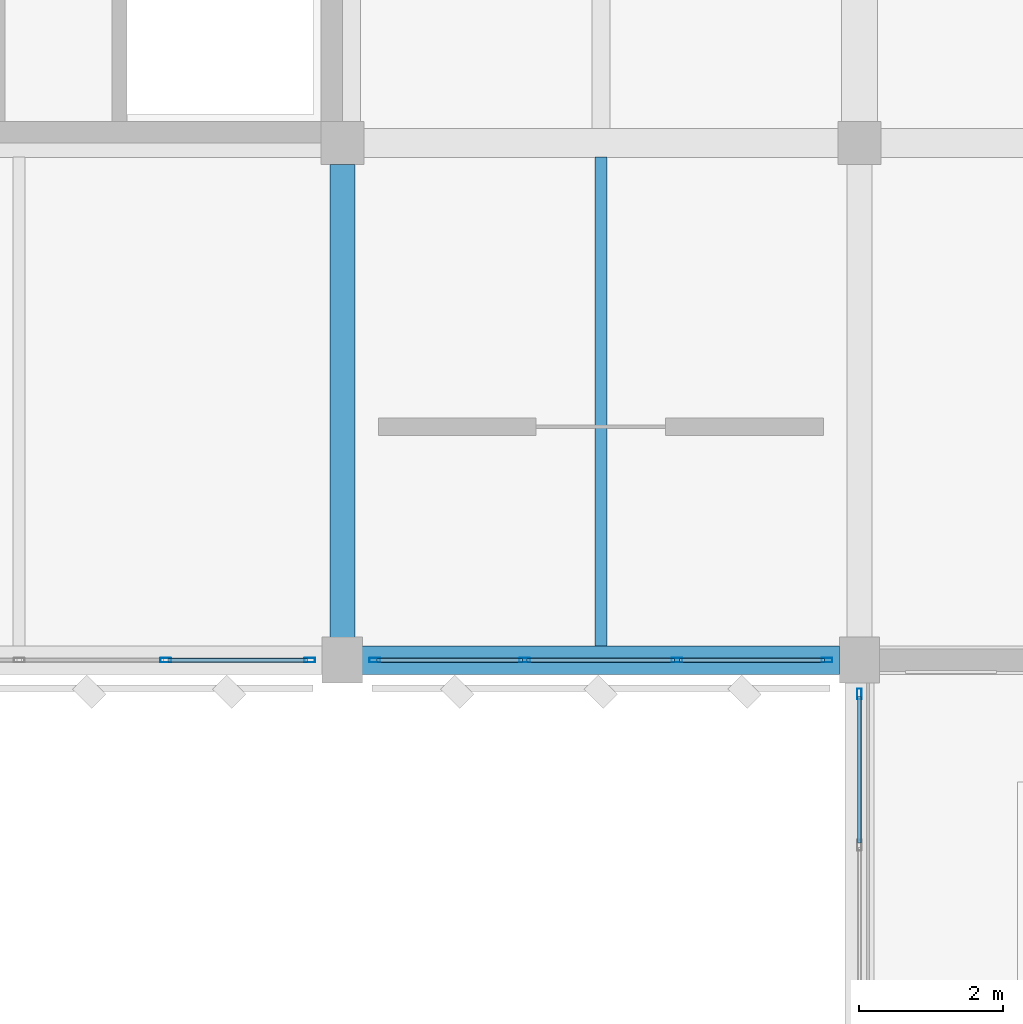
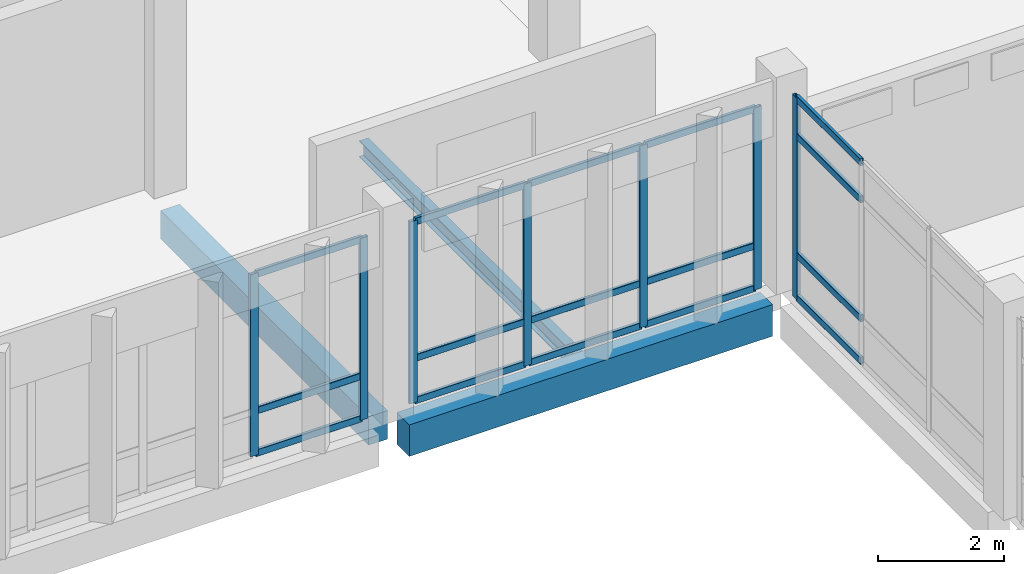
# One storey, part 67 of 158: 23 members, 3 beams, 3 elements without a shape of their own.
"""IFC4 building model written with IfcOpenShell, lengths in metres."""

from ifc_helpers import new_model, si_unit, direction, frame, origin, origin_2d, place, context, subcontext, project, spatial, rectangle, hollow_rectangle, i_section, extrude, material, material_profile, profile_set, type_object, element, aggregate, save


model = new_model("IFC4")

# Units and contexts
model_context = context("Model", 3, precision=1e-05, world=origin(), true_north=direction((0.0, 1.0)))
body_context = subcontext(model_context, "Body", "Model", "MODEL_VIEW")
ifc_project = project(units=[si_unit("LENGTHUNIT", "METRE"), si_unit("AREAUNIT", "SQUARE_METRE"), si_unit("VOLUMEUNIT", "CUBIC_METRE"), si_unit("PLANEANGLEUNIT", "RADIAN"), si_unit("MASSUNIT", "GRAM", prefix="KILO")], contexts=[model_context])

# Site, building, storey
site_placement = place(None, origin())
site = spatial("IfcSite", under=ifc_project, at=site_placement, CompositionType="ELEMENT")
building_placement = place(site_placement, origin())
building = spatial("IfcBuilding", under=site, at=building_placement, Name="Lusvemor Sports Hall", CompositionType="ELEMENT")
storey_placement = place(building_placement, frame((0.0, 0.0, 10.800048828125)))
storey = spatial("IfcBuildingStorey", under=building, at=storey_placement, Name="L02", CompositionType="ELEMENT", Elevation=10.800048828125)

# Beam
ifc_material_1 = material(Name="Concrete C40/50", Category="concrete")
ifc_material_profile_1 = material_profile(ifc_material_1, rectangle(XDim=0.35009765625, YDim=0.550048828125, at=origin_2d()), Name="RC350x550")
ifc_profile_set_1 = profile_set([ifc_material_profile_1], Name="Concrete C40/50")
beam_type_1 = type_object("IfcBeamType", Name="BEAM_RC_550", PredefinedType="BEAM", material=ifc_profile_set_1)
beam_1_placement = place(storey_placement, frame((111.60009765625, 97.51611328125, -0.53515625), z_axis=(0.0, 1.0, 0.0), x_axis=(-1.0, 0.0, 0.0)))
element("IfcBeam", 1, at=beam_1_placement, inside=storey, type_object=beam_type_1, Name="Beam L02 12:N-P", PredefinedType="BEAM", context=body_context, shape_type="SweptSolid", body=[
    extrude(rectangle(XDim=0.35009765625, YDim=0.550048828125, at=origin_2d()), origin(), (0.0, 0.0, 1.0), 6.587890625),
])

# Curtain wall, members
ifc_material_2 = material(Name="Thermally broken bronze-anodized aluminium", Category="aluminium")
curtain_wall_type = type_object("IfcCurtainWallType", Name="CW_WING_B", PredefinedType="NOTDEFINED", material=ifc_material_2)
curtain_wall_1_placement = place(storey_placement, origin())
curtain_wall_1 = element("IfcCurtainWall", 2, at=curtain_wall_1_placement, inside=storey, type_object=curtain_wall_type, Name="Curtain Wall CW-L02-S-3-8", PredefinedType="NOTDEFINED")
ifc_material_3 = material(Name="Thermally broken bronze-anodized aluminium", Category="aluminium")
ifc_material_profile_2 = material_profile(ifc_material_3, hollow_rectangle(XDim=0.06494140625, YDim=0.14990234375, WallThickness=0.00390625, InnerFilletRadius=0.00390625, OuterFilletRadius=0.008056640625, at=origin_2d()), Name="CWMUL150x65x4")
ifc_profile_set_2 = profile_set([ifc_material_profile_2], Name="Thermally broken bronze-anodized aluminium")
member_type_1 = type_object("IfcMemberType", Name="CW_MUL_B", PredefinedType="MULLION", material=ifc_profile_set_2)
member_1_placement = place(storey_placement, frame((111.1474609375, 97.199951171875, 0.0), z_axis=(0.0, 0.0, 1.0), x_axis=(0.0, -1.0, 0.0)))
member_1 = element("IfcMember", 3, at=member_1_placement, type_object=member_type_1, Name="CW02 mullion 1", PredefinedType="MULLION", context=body_context, shape_type="SweptSolid", body=[
    extrude(hollow_rectangle(XDim=0.06494140625, YDim=0.14990234375, WallThickness=0.00390625, InnerFilletRadius=0.00390625, OuterFilletRadius=0.008056640625, at=origin_2d()), origin(), (0.0, 0.0, 1.0), 3.52001953125),
])
member_2_placement = place(storey_placement, frame((109.139892578125, 97.199951171875, 0.0), z_axis=(0.0, 0.0, 1.0), x_axis=(0.0, -1.0, 0.0)))
member_2 = element("IfcMember", 4, at=member_2_placement, type_object=member_type_1, Name="CW02 mullion 2", PredefinedType="MULLION", context=body_context, shape_type="SweptSolid", body=[
    extrude(hollow_rectangle(XDim=0.06494140625, YDim=0.14990234375, WallThickness=0.00390625, InnerFilletRadius=0.00390625, OuterFilletRadius=0.008056640625, at=origin_2d()), origin(), (0.0, 0.0, 1.0), 3.52001953125),
])

curtain_wall_2_placement = place(storey_placement, origin())
curtain_wall_2 = element("IfcCurtainWall", 5, at=curtain_wall_2_placement, inside=storey, type_object=curtain_wall_type, Name="Curtain Wall CW-L02-S-3-9", PredefinedType="NOTDEFINED")
member_3_placement = place(storey_placement, frame((118.347412109375, 97.199951171875, 0.0), z_axis=(0.0, 0.0, 1.0), x_axis=(0.0, -1.0, 0.0)))
member_3 = element("IfcMember", 6, at=member_3_placement, type_object=member_type_1, Name="CW02 mullion 1", PredefinedType="MULLION", context=body_context, shape_type="SweptSolid", body=[
    extrude(hollow_rectangle(XDim=0.06494140625, YDim=0.14990234375, WallThickness=0.00390625, InnerFilletRadius=0.00390625, OuterFilletRadius=0.008056640625, at=origin_2d()), origin(), (0.0, 0.0, 1.0), 3.52001953125),
])
member_4_placement = place(storey_placement, frame((116.260009765625, 97.199951171875, 0.0), z_axis=(0.0, 0.0, 1.0), x_axis=(0.0, -1.0, 0.0)))
member_4 = element("IfcMember", 7, at=member_4_placement, type_object=member_type_1, Name="CW02 mullion 2", PredefinedType="MULLION", context=body_context, shape_type="SweptSolid", body=[
    extrude(hollow_rectangle(XDim=0.06494140625, YDim=0.14990234375, WallThickness=0.00390625, InnerFilletRadius=0.00390625, OuterFilletRadius=0.008056640625, at=origin_2d()), origin(), (0.0, 0.0, 1.0), 3.52001953125),
])
member_5_placement = place(storey_placement, frame((114.139892578125, 97.199951171875, 0.0), z_axis=(0.0, 0.0, 1.0), x_axis=(0.0, -1.0, 0.0)))
member_5 = element("IfcMember", 8, at=member_5_placement, type_object=member_type_1, Name="CW02 mullion 3", PredefinedType="MULLION", context=body_context, shape_type="SweptSolid", body=[
    extrude(hollow_rectangle(XDim=0.06494140625, YDim=0.14990234375, WallThickness=0.00390625, InnerFilletRadius=0.00390625, OuterFilletRadius=0.008056640625, at=origin_2d()), origin(), (0.0, 0.0, 1.0), 3.52001953125),
])
member_6_placement = place(storey_placement, frame((112.052490234375, 97.199951171875, 0.0), z_axis=(0.0, 0.0, 1.0), x_axis=(0.0, -1.0, 0.0)))
member_6 = element("IfcMember", 9, at=member_6_placement, type_object=member_type_1, Name="CW02 mullion 4", PredefinedType="MULLION", context=body_context, shape_type="SweptSolid", body=[
    extrude(hollow_rectangle(XDim=0.06494140625, YDim=0.14990234375, WallThickness=0.00390625, InnerFilletRadius=0.00390625, OuterFilletRadius=0.008056640625, at=origin_2d()), origin(), (0.0, 0.0, 1.0), 3.52001953125),
])

# Curtain wall, member
curtain_wall_3_placement = place(storey_placement, origin())
curtain_wall_3 = element("IfcCurtainWall", 10, at=curtain_wall_3_placement, inside=storey, type_object=curtain_wall_type, Name="Curtain Wall CW-V5NE-W-L02-B", PredefinedType="NOTDEFINED")
member_7_placement = place(storey_placement, frame((118.800048828125, 96.7275390625, -0.050048828125), z_axis=(0.0, 0.0, 1.0), x_axis=(-1.0, 0.0, 0.0)))
member_7 = element("IfcMember", 11, at=member_7_placement, type_object=member_type_1, Name="CW02 mullion 4", PredefinedType="MULLION", context=body_context, shape_type="SweptSolid", body=[
    extrude(hollow_rectangle(XDim=0.06494140625, YDim=0.14990234375, WallThickness=0.00390625, InnerFilletRadius=0.00390625, OuterFilletRadius=0.008056640625, at=origin_2d()), origin(), (0.0, 0.0, 1.0), 3.89990234375),
])

# Member
ifc_material_4 = material(Name="Thermally broken bronze-anodized aluminium", Category="aluminium")
ifc_material_profile_3 = material_profile(ifc_material_4, hollow_rectangle(XDim=0.06005859375, YDim=0.135009765625, WallThickness=0.00390625, InnerFilletRadius=0.00390625, OuterFilletRadius=0.008056640625, at=origin_2d()), Name="CWTRN135x60x4")
ifc_profile_set_3 = profile_set([ifc_material_profile_3], Name="Thermally broken bronze-anodized aluminium")
member_type_2 = type_object("IfcMemberType", Name="CW_TRN_B", PredefinedType="USERDEFINED", material=ifc_profile_set_3)
member_8_placement = place(storey_placement, frame((111.114990234375, 97.199951171875, 0.030029296875), z_axis=(-1.0, 0.0, 0.0), x_axis=(0.0, -1.0, 0.0)))
member_8 = element("IfcMember", 12, at=member_8_placement, type_object=member_type_2, Name="CW02 transom 1.1", ObjectType="TRANSOM", PredefinedType="USERDEFINED", context=body_context, shape_type="SweptSolid", body=[
    extrude(hollow_rectangle(XDim=0.06005859375, YDim=0.135009765625, WallThickness=0.00390625, InnerFilletRadius=0.00390625, OuterFilletRadius=0.008056640625, at=origin_2d()), origin(), (0.0, 0.0, 1.0), 1.9423828125),
])

member_9_placement = place(storey_placement, frame((111.114990234375, 97.199951171875, 0.849853515625), z_axis=(-1.0, 0.0, 0.0), x_axis=(0.0, -1.0, 0.0)))
member_9 = element("IfcMember", 13, at=member_9_placement, type_object=member_type_2, Name="CW02 transom 1.2", ObjectType="TRANSOM", PredefinedType="USERDEFINED", context=body_context, shape_type="SweptSolid", body=[
    extrude(hollow_rectangle(XDim=0.06005859375, YDim=0.135009765625, WallThickness=0.00390625, InnerFilletRadius=0.00390625, OuterFilletRadius=0.008056640625, at=origin_2d()), origin(), (0.0, 0.0, 1.0), 1.9423828125),
])

member_10_placement = place(storey_placement, frame((111.114990234375, 97.199951171875, 3.489990234375), z_axis=(-1.0, 0.0, 0.0), x_axis=(0.0, -1.0, 0.0)))
member_10 = element("IfcMember", 14, at=member_10_placement, type_object=member_type_2, Name="CW02 transom 1.3", ObjectType="TRANSOM", PredefinedType="USERDEFINED", context=body_context, shape_type="SweptSolid", body=[
    extrude(hollow_rectangle(XDim=0.06005859375, YDim=0.135009765625, WallThickness=0.00390625, InnerFilletRadius=0.00390625, OuterFilletRadius=0.008056640625, at=origin_2d()), origin(), (0.0, 0.0, 1.0), 1.9423828125),
])

aggregate(curtain_wall_1, [member_1, member_2, member_8, member_9, member_10])

member_11_placement = place(storey_placement, frame((118.31494140625, 97.199951171875, 0.030029296875), z_axis=(-1.0, 0.0, 0.0), x_axis=(0.0, -1.0, 0.0)))
member_11 = element("IfcMember", 15, at=member_11_placement, type_object=member_type_2, Name="CW02 transom 1.1", ObjectType="TRANSOM", PredefinedType="USERDEFINED", context=body_context, shape_type="SweptSolid", body=[
    extrude(hollow_rectangle(XDim=0.06005859375, YDim=0.135009765625, WallThickness=0.00390625, InnerFilletRadius=0.00390625, OuterFilletRadius=0.008056640625, at=origin_2d()), origin(), (0.0, 0.0, 1.0), 2.0224609375),
])

member_12_placement = place(storey_placement, frame((118.31494140625, 97.199951171875, 0.849853515625), z_axis=(-1.0, 0.0, 0.0), x_axis=(0.0, -1.0, 0.0)))
member_12 = element("IfcMember", 16, at=member_12_placement, type_object=member_type_2, Name="CW02 transom 1.2", ObjectType="TRANSOM", PredefinedType="USERDEFINED", context=body_context, shape_type="SweptSolid", body=[
    extrude(hollow_rectangle(XDim=0.06005859375, YDim=0.135009765625, WallThickness=0.00390625, InnerFilletRadius=0.00390625, OuterFilletRadius=0.008056640625, at=origin_2d()), origin(), (0.0, 0.0, 1.0), 2.0224609375),
])

member_13_placement = place(storey_placement, frame((118.31494140625, 97.199951171875, 3.489990234375), z_axis=(-1.0, 0.0, 0.0), x_axis=(0.0, -1.0, 0.0)))
member_13 = element("IfcMember", 17, at=member_13_placement, type_object=member_type_2, Name="CW02 transom 1.3", ObjectType="TRANSOM", PredefinedType="USERDEFINED", context=body_context, shape_type="SweptSolid", body=[
    extrude(hollow_rectangle(XDim=0.06005859375, YDim=0.135009765625, WallThickness=0.00390625, InnerFilletRadius=0.00390625, OuterFilletRadius=0.008056640625, at=origin_2d()), origin(), (0.0, 0.0, 1.0), 2.0224609375),
])

member_14_placement = place(storey_placement, frame((116.2275390625, 97.199951171875, 0.030029296875), z_axis=(-1.0, 0.0, 0.0), x_axis=(0.0, -1.0, 0.0)))
member_14 = element("IfcMember", 18, at=member_14_placement, type_object=member_type_2, Name="CW02 transom 2.1", ObjectType="TRANSOM", PredefinedType="USERDEFINED", context=body_context, shape_type="SweptSolid", body=[
    extrude(hollow_rectangle(XDim=0.06005859375, YDim=0.135009765625, WallThickness=0.00390625, InnerFilletRadius=0.00390625, OuterFilletRadius=0.008056640625, at=origin_2d()), origin(), (0.0, 0.0, 1.0), 2.054931640625),
])

member_15_placement = place(storey_placement, frame((116.2275390625, 97.199951171875, 0.849853515625), z_axis=(-1.0, 0.0, 0.0), x_axis=(0.0, -1.0, 0.0)))
member_15 = element("IfcMember", 19, at=member_15_placement, type_object=member_type_2, Name="CW02 transom 2.2", ObjectType="TRANSOM", PredefinedType="USERDEFINED", context=body_context, shape_type="SweptSolid", body=[
    extrude(hollow_rectangle(XDim=0.06005859375, YDim=0.135009765625, WallThickness=0.00390625, InnerFilletRadius=0.00390625, OuterFilletRadius=0.008056640625, at=origin_2d()), origin(), (0.0, 0.0, 1.0), 2.054931640625),
])

member_16_placement = place(storey_placement, frame((116.2275390625, 97.199951171875, 3.489990234375), z_axis=(-1.0, 0.0, 0.0), x_axis=(0.0, -1.0, 0.0)))
member_16 = element("IfcMember", 20, at=member_16_placement, type_object=member_type_2, Name="CW02 transom 2.3", ObjectType="TRANSOM", PredefinedType="USERDEFINED", context=body_context, shape_type="SweptSolid", body=[
    extrude(hollow_rectangle(XDim=0.06005859375, YDim=0.135009765625, WallThickness=0.00390625, InnerFilletRadius=0.00390625, OuterFilletRadius=0.008056640625, at=origin_2d()), origin(), (0.0, 0.0, 1.0), 2.054931640625),
])

member_17_placement = place(storey_placement, frame((114.107421875, 97.199951171875, 0.030029296875), z_axis=(-1.0, 0.0, 0.0), x_axis=(0.0, -1.0, 0.0)))
member_17 = element("IfcMember", 21, at=member_17_placement, type_object=member_type_2, Name="CW02 transom 3.1", ObjectType="TRANSOM", PredefinedType="USERDEFINED", context=body_context, shape_type="SweptSolid", body=[
    extrude(hollow_rectangle(XDim=0.06005859375, YDim=0.135009765625, WallThickness=0.00390625, InnerFilletRadius=0.00390625, OuterFilletRadius=0.008056640625, at=origin_2d()), origin(), (0.0, 0.0, 1.0), 2.0224609375),
])

member_18_placement = place(storey_placement, frame((114.107421875, 97.199951171875, 0.849853515625), z_axis=(-1.0, 0.0, 0.0), x_axis=(0.0, -1.0, 0.0)))
member_18 = element("IfcMember", 22, at=member_18_placement, type_object=member_type_2, Name="CW02 transom 3.2", ObjectType="TRANSOM", PredefinedType="USERDEFINED", context=body_context, shape_type="SweptSolid", body=[
    extrude(hollow_rectangle(XDim=0.06005859375, YDim=0.135009765625, WallThickness=0.00390625, InnerFilletRadius=0.00390625, OuterFilletRadius=0.008056640625, at=origin_2d()), origin(), (0.0, 0.0, 1.0), 2.0224609375),
])

member_19_placement = place(storey_placement, frame((114.107421875, 97.199951171875, 3.489990234375), z_axis=(-1.0, 0.0, 0.0), x_axis=(0.0, -1.0, 0.0)))
member_19 = element("IfcMember", 23, at=member_19_placement, type_object=member_type_2, Name="CW02 transom 3.3", ObjectType="TRANSOM", PredefinedType="USERDEFINED", context=body_context, shape_type="SweptSolid", body=[
    extrude(hollow_rectangle(XDim=0.06005859375, YDim=0.135009765625, WallThickness=0.00390625, InnerFilletRadius=0.00390625, OuterFilletRadius=0.008056640625, at=origin_2d()), origin(), (0.0, 0.0, 1.0), 2.0224609375),
])

aggregate(curtain_wall_2, [member_3, member_4, member_5, member_6, member_11, member_12, member_13, member_14, member_15, member_16, member_17, member_18, member_19])

member_20_placement = place(storey_placement, frame((118.800048828125, 94.65576171875, -0.02001953125), z_axis=(0.0, 1.0, 0.0), x_axis=(-1.0, 0.0, 0.0)))
member_20 = element("IfcMember", 24, at=member_20_placement, type_object=member_type_2, Name="CW02 transom 3.1", ObjectType="TRANSOM", PredefinedType="USERDEFINED", context=body_context, shape_type="SweptSolid", body=[
    extrude(hollow_rectangle(XDim=0.06005859375, YDim=0.135009765625, WallThickness=0.00390625, InnerFilletRadius=0.00390625, OuterFilletRadius=0.008056640625, at=origin_2d()), origin(), (0.0, 0.0, 1.0), 2.039306640625),
])

member_21_placement = place(storey_placement, frame((118.800048828125, 94.65576171875, 0.800048828125), z_axis=(0.0, 1.0, 0.0), x_axis=(-1.0, 0.0, 0.0)))
member_21 = element("IfcMember", 25, at=member_21_placement, type_object=member_type_2, Name="CW02 transom 3.2", ObjectType="TRANSOM", PredefinedType="USERDEFINED", context=body_context, shape_type="SweptSolid", body=[
    extrude(hollow_rectangle(XDim=0.06005859375, YDim=0.135009765625, WallThickness=0.00390625, InnerFilletRadius=0.00390625, OuterFilletRadius=0.008056640625, at=origin_2d()), origin(), (0.0, 0.0, 1.0), 2.039306640625),
])

member_22_placement = place(storey_placement, frame((118.800048828125, 94.65576171875, 3.099853515625), z_axis=(0.0, 1.0, 0.0), x_axis=(-1.0, 0.0, 0.0)))
member_22 = element("IfcMember", 26, at=member_22_placement, type_object=member_type_2, Name="CW02 transom 3.3", ObjectType="TRANSOM", PredefinedType="USERDEFINED", context=body_context, shape_type="SweptSolid", body=[
    extrude(hollow_rectangle(XDim=0.06005859375, YDim=0.135009765625, WallThickness=0.00390625, InnerFilletRadius=0.00390625, OuterFilletRadius=0.008056640625, at=origin_2d()), origin(), (0.0, 0.0, 1.0), 2.039306640625),
])

member_23_placement = place(storey_placement, frame((118.800048828125, 94.65576171875, 3.820068359375), z_axis=(0.0, 1.0, 0.0), x_axis=(-1.0, 0.0, 0.0)))
member_23 = element("IfcMember", 27, at=member_23_placement, type_object=member_type_2, Name="CW02 transom 3.4", ObjectType="TRANSOM", PredefinedType="USERDEFINED", context=body_context, shape_type="SweptSolid", body=[
    extrude(hollow_rectangle(XDim=0.06005859375, YDim=0.135009765625, WallThickness=0.00390625, InnerFilletRadius=0.00390625, OuterFilletRadius=0.008056640625, at=origin_2d()), origin(), (0.0, 0.0, 1.0), 2.039306640625),
])

aggregate(curtain_wall_3, [member_7, member_20, member_21, member_22, member_23])

# Beams
ifc_material_5 = material(Name="Steel S355", Category="steel")
ifc_material_profile_4 = material_profile(ifc_material_5, i_section(OverallWidth=0.1669921875, OverallDepth=0.31689453125, WebThickness=0.007568359375, FlangeThickness=0.01318359375, FilletRadius=0.014892578125, at=origin_2d()), Name="W310x52.0")
ifc_profile_set_4 = profile_set([ifc_material_profile_4], Name="Steel S355")
beam_type_2 = type_object("IfcBeamType", Name="JOIST_ST_310M", PredefinedType="JOIST", material=ifc_profile_set_4)
beam_2_placement = place(storey_placement, frame((115.199951171875, 97.39599609375, -0.422607421875), z_axis=(0.0, 1.0, 0.0), x_axis=(-1.0, 0.0, 0.0)))
element("IfcBeam", 28, at=beam_2_placement, inside=storey, type_object=beam_type_2, Name="Secondary Joist L02 12-13/N-P #1", PredefinedType="JOIST", context=body_context, shape_type="SweptSolid", body=[
    extrude(i_section(OverallWidth=0.1669921875, OverallDepth=0.31689453125, WebThickness=0.007568359375, FlangeThickness=0.01318359375, FilletRadius=0.014892578125, at=origin_2d()), origin(), (0.0, 0.0, 1.0), 6.80810546875),
])
ifc_material_6 = material(Name="Concrete C40/50", Category="concrete")
ifc_material_profile_5 = material_profile(ifc_material_6, rectangle(XDim=0.39990234375, YDim=0.610107421875, at=origin_2d()), Name="RC400x610")
ifc_profile_set_5 = profile_set([ifc_material_profile_5], Name="Concrete C40/50")
beam_type_3 = type_object("IfcBeamType", Name="SPAND_EXT_650", PredefinedType="SPANDREL", material=ifc_profile_set_5)
beam_3_placement = place(storey_placement, frame((111.8759765625, 97.199951171875, -0.56494140625), z_axis=(1.0, 0.0, 0.0), x_axis=(0.0, 1.0, 0.0)))
element("IfcBeam", 29, at=beam_3_placement, inside=storey, type_object=beam_type_3, Name="Beam L02 N:12-13", PredefinedType="SPANDREL", context=body_context, shape_type="SweptSolid", body=[
    extrude(rectangle(XDim=0.39990234375, YDim=0.610107421875, at=origin_2d()), origin(), (0.0, 0.0, 1.0), 6.64794921875),
])

save(model, "model.ifc")
